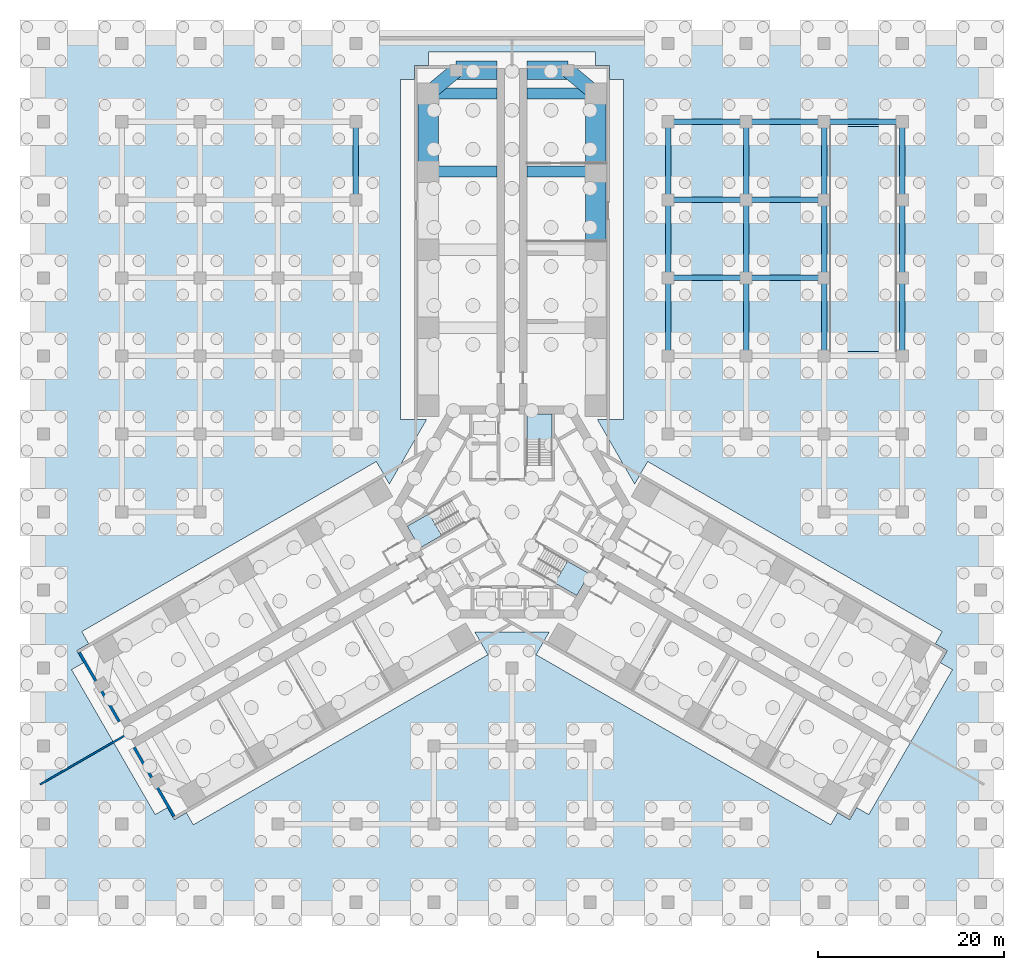
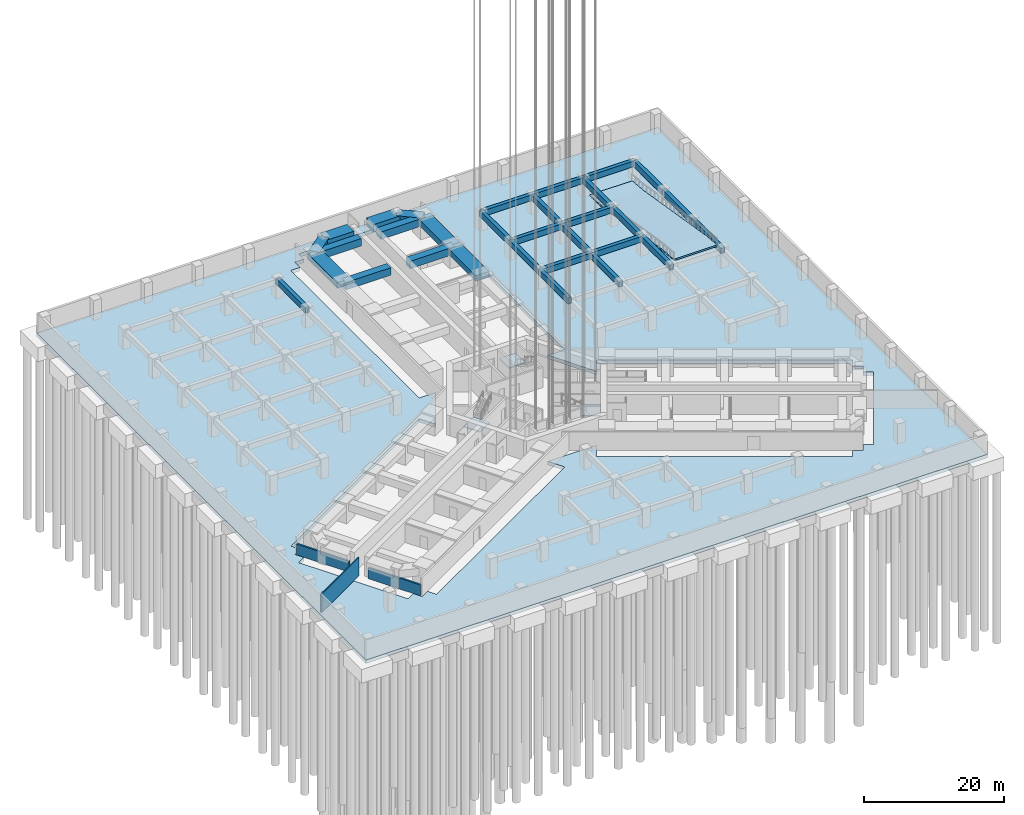
# One storey, part 50 of 73: 31 beams, 5 slabs, 3 walls, 3 elements without a shape of their own.
"""IFC4 building model written with IfcOpenShell, lengths in metres."""

from ifc_helpers import new_model, si_unit, direction, frame, frame_2d, origin, origin_2d, place, context, subcontext, project, spatial, polyline, rectangle, outline, extrude, material, layer, layer_set, material_profile, profile_set, type_object, element, aggregate, save


model = new_model("IFC4")

# Units and contexts
model_context = context("Model", 3, precision=1e-05, world=origin(), true_north=direction((0.0, 1.0)))
body_context = subcontext(model_context, "Body", "Model", "MODEL_VIEW")
ifc_project = project(units=[si_unit("LENGTHUNIT", "METRE"), si_unit("AREAUNIT", "SQUARE_METRE"), si_unit("VOLUMEUNIT", "CUBIC_METRE"), si_unit("PLANEANGLEUNIT", "RADIAN"), si_unit("MASSUNIT", "GRAM", prefix="KILO")], contexts=[model_context])

# Site, building, storey
site_placement = place(None, origin())
site = spatial("IfcSite", under=ifc_project, at=site_placement, CompositionType="ELEMENT")
building_placement = place(site_placement, origin())
building = spatial("IfcBuilding", under=site, at=building_placement, Name="Impinga Residences", CompositionType="ELEMENT")
storey_placement = place(building_placement, frame((0.0, 0.0, -10.5)))
storey = spatial("IfcBuildingStorey", under=building, at=storey_placement, Name="B3", CompositionType="ELEMENT", Elevation=-10.5)

# Beams
ifc_material_1 = material(Name="Concrete C60/75", Category="concrete")
ifc_material_profile_1 = material_profile(ifc_material_1, rectangle(XDim=1.60009765625, YDim=1.300048828125, at=origin_2d()), Name="RC 1600x1300")
ifc_profile_set_1 = profile_set([ifc_material_profile_1], Name="Concrete C60/75")
beam_type_1 = type_object("IfcBeamType", Name="CB4 1600x1300 wing end beam to the wing-tip prop", PredefinedType="BEAM", material=ifc_profile_set_1)
for number, where, z_axis, x_axis, name in (
    (1, (-9.0, 45.031494140625, 2.550048828125), (0.768221279597, 0.640184399664, 0.0), (-0.640184399664, 0.768221279597, 0.0), "Beam CB4 NB N5-NX level B2"),
    (2, (9.0, 45.031494140625, 2.550048828125), (-0.768221279597, 0.640184399664, 0.0), (-0.640184399664, -0.768221279597, 0.0), "Beam CB4 NE N5-NX level B2"),
):
    element("IfcBeam", number, at=place(storey_placement, frame(where, z_axis=z_axis, x_axis=x_axis)), inside=storey, type_object=beam_type_1, Name=name, PredefinedType="BEAM", context=body_context, shape_type="SweptSolid", body=[
        extrude(rectangle(XDim=1.60009765625, YDim=1.300048828125, at=origin_2d()), origin(), (0.0, 0.0, 1.0), 3.905029296875),
    ])
ifc_material_profile_2 = material_profile(ifc_material_1, rectangle(XDim=1.199951171875, YDim=1.300048828125, at=origin_2d()), Name="RC 1200x1300")
ifc_profile_set_2 = profile_set([ifc_material_profile_2], Name="Concrete C60/75")
beam_type_2 = type_object("IfcBeamType", Name="CG2 1200x1300 cross girder on a wing bay line", PredefinedType="BEAM", material=ifc_profile_set_2)
for number, where, z_axis, x_axis, name in (
    (3, (-1.60009765625, 36.631591796875, 2.550048828125), (-1.0, 0.0, 0.0), (0.0, -1.0, 0.0), "Beam CG2 N4 NC/NA level B2"),
    (4, (-1.60009765625, 45.031494140625, 2.550048828125), (-1.0, 0.0, 0.0), (0.0, -1.0, 0.0), "Beam CG2 N5 NC/NA level B2"),
    (5, (1.60009765625, 36.631591796875, 2.550048828125), (1.0, 0.0, 0.0), (0.0, 1.0, 0.0), "Beam CG2 N4 NC/NF level B2"),
    (6, (1.60009765625, 45.031494140625, 2.550048828125), (1.0, 0.0, 0.0), (0.0, 1.0, 0.0), "Beam CG2 N5 NC/NF level B2"),
):
    element("IfcBeam", number, at=place(storey_placement, frame(where, z_axis=z_axis, x_axis=x_axis)), inside=storey, type_object=beam_type_2, Name=name, PredefinedType="BEAM", context=body_context, shape_type="SweptSolid", body=[
        extrude(rectangle(XDim=1.199951171875, YDim=1.300048828125, at=origin_2d()), origin(), (0.0, 0.0, 1.0), 7.39990234375),
    ])
ifc_material_profile_3 = material_profile(ifc_material_1, rectangle(XDim=2.0, YDim=1.300048828125, at=origin_2d()), Name="RC 2000x1300")
ifc_profile_set_3 = profile_set([ifc_material_profile_3], Name="Concrete C60/75")
beam_type_3 = type_object("IfcBeamType", Name="EB4 2000x1300 wing end beam", PredefinedType="BEAM", material=ifc_profile_set_3)
for number, where, z_axis, x_axis, name in (
    (7, (-6.0, 47.531494140625, 2.550048828125), (1.0, 0.0, 0.0), (0.0, 1.0, 0.0), "Beam EB4 NX4 level B2"),
    (8, (1.60009765625, 47.531494140625, 2.550048828125), (1.0, 0.0, 0.0), (0.0, 1.0, 0.0), "Beam EB4 NX4 level B2"),
):
    element("IfcBeam", number, at=place(storey_placement, frame(where, z_axis=z_axis, x_axis=x_axis)), inside=storey, type_object=beam_type_3, Name=name, PredefinedType="BEAM", context=body_context, shape_type="SweptSolid", body=[
        extrude(rectangle(XDim=2.0, YDim=1.300048828125, at=origin_2d()), origin(), (0.0, 0.0, 1.0), 4.39990234375),
    ])
ifc_material_profile_4 = material_profile(ifc_material_1, rectangle(XDim=0.60009765625, YDim=1.0, at=origin_2d()), Name="RC 600x1000")
ifc_profile_set_4 = profile_set([ifc_material_profile_4], Name="Concrete C60/75")
beam_type_4 = type_object("IfcBeamType", Name="PB1 600x1000 basement and ground floor beam", PredefinedType="BEAM", material=ifc_profile_set_4)
beam_1_placement = place(storey_placement, frame((16.800048828125, 25.199951171875, 2.699951171875), z_axis=(1.0, 0.0, 0.0), x_axis=(0.0, 1.0, 0.0)))
element("IfcBeam", 9, at=beam_1_placement, inside=storey, type_object=beam_type_4, Name="Beam PB1 J/9-10 level B2", PredefinedType="BEAM", context=body_context, shape_type="SweptSolid", body=[
    extrude(rectangle(XDim=0.60009765625, YDim=1.0, at=origin_2d()), origin(), (0.0, 0.0, 1.0), 8.39990234375),
])
beam_2_placement = place(storey_placement, frame((25.199951171875, 25.199951171875, 2.699951171875), z_axis=(1.0, 0.0, 0.0), x_axis=(0.0, 1.0, 0.0)))
element("IfcBeam", 10, at=beam_2_placement, inside=storey, type_object=beam_type_4, Name="Beam PB1 J/10-11 level B2", PredefinedType="BEAM", context=body_context, shape_type="SweptSolid", body=[
    extrude(rectangle(XDim=0.60009765625, YDim=1.0, at=origin_2d()), origin(), (0.0, 0.0, 1.0), 8.400146484375),
])
beam_3_placement = place(storey_placement, frame((16.800048828125, 33.60009765625, 2.699951171875), z_axis=(1.0, 0.0, 0.0), x_axis=(0.0, 1.0, 0.0)))
element("IfcBeam", 11, at=beam_3_placement, inside=storey, type_object=beam_type_4, Name="Beam PB1 K/9-10 level B2", PredefinedType="BEAM", context=body_context, shape_type="SweptSolid", body=[
    extrude(rectangle(XDim=0.60009765625, YDim=1.0, at=origin_2d()), origin(), (0.0, 0.0, 1.0), 8.39990234375),
])
beam_4_placement = place(storey_placement, frame((25.199951171875, 33.60009765625, 2.699951171875), z_axis=(1.0, 0.0, 0.0), x_axis=(0.0, 1.0, 0.0)))
element("IfcBeam", 12, at=beam_4_placement, inside=storey, type_object=beam_type_4, Name="Beam PB1 K/10-11 level B2", PredefinedType="BEAM", context=body_context, shape_type="SweptSolid", body=[
    extrude(rectangle(XDim=0.60009765625, YDim=1.0, at=origin_2d()), origin(), (0.0, 0.0, 1.0), 8.400146484375),
])
beam_5_placement = place(storey_placement, frame((16.800048828125, 42.0, 2.699951171875), z_axis=(1.0, 0.0, 0.0), x_axis=(0.0, 1.0, 0.0)))
element("IfcBeam", 13, at=beam_5_placement, inside=storey, type_object=beam_type_4, Name="Beam PB1 L/9-10 level B2", PredefinedType="BEAM", context=body_context, shape_type="SweptSolid", body=[
    extrude(rectangle(XDim=0.60009765625, YDim=1.0, at=origin_2d()), origin(), (0.0, 0.0, 1.0), 8.39990234375),
])
beam_6_placement = place(storey_placement, frame((25.199951171875, 42.0, 2.699951171875), z_axis=(1.0, 0.0, 0.0), x_axis=(0.0, 1.0, 0.0)))
element("IfcBeam", 14, at=beam_6_placement, inside=storey, type_object=beam_type_4, Name="Beam PB1 L/10-11 level B2", PredefinedType="BEAM", context=body_context, shape_type="SweptSolid", body=[
    extrude(rectangle(XDim=0.60009765625, YDim=1.0, at=origin_2d()), origin(), (0.0, 0.0, 1.0), 8.400146484375),
])
for number, where, z_axis, x_axis, name in (
    (15, (33.60009765625, 42.0, 2.699951171875), (1.0, 0.0, 0.0), (0.0, 1.0, 0.0), "Beam PB1 L/11-12 level B2"),
    (16, (-16.800048828125, 33.60009765625, 2.699951171875), (0.0, 1.0, 0.0), (-1.0, 0.0, 0.0), "Beam PB1 5/K-L level B2"),
    (17, (16.800048828125, 16.800048828125, 2.699951171875), (0.0, 1.0, 0.0), (-1.0, 0.0, 0.0), "Beam PB1 9/H-J level B2"),
):
    element("IfcBeam", number, at=place(storey_placement, frame(where, z_axis=z_axis, x_axis=x_axis)), inside=storey, type_object=beam_type_4, Name=name, PredefinedType="BEAM", context=body_context, shape_type="SweptSolid", body=[
        extrude(rectangle(XDim=0.60009765625, YDim=1.0, at=origin_2d()), origin(), (0.0, 0.0, 1.0), 8.39990234375),
    ])
beam_7_placement = place(storey_placement, frame((16.800048828125, 25.199951171875, 2.699951171875), z_axis=(0.0, 1.0, 0.0), x_axis=(-1.0, 0.0, 0.0)))
element("IfcBeam", 18, at=beam_7_placement, inside=storey, type_object=beam_type_4, Name="Beam PB1 9/J-K level B2", PredefinedType="BEAM", context=body_context, shape_type="SweptSolid", body=[
    extrude(rectangle(XDim=0.60009765625, YDim=1.0, at=origin_2d()), origin(), (0.0, 0.0, 1.0), 8.400146484375),
])
for number, where, z_axis, x_axis, name in (
    (19, (16.800048828125, 33.60009765625, 2.699951171875), (0.0, 1.0, 0.0), (-1.0, 0.0, 0.0), "Beam PB1 9/K-L level B2"),
    (20, (25.199951171875, 16.800048828125, 2.699951171875), (0.0, 1.0, 0.0), (-1.0, 0.0, 0.0), "Beam PB1 10/H-J level B2"),
):
    element("IfcBeam", number, at=place(storey_placement, frame(where, z_axis=z_axis, x_axis=x_axis)), inside=storey, type_object=beam_type_4, Name=name, PredefinedType="BEAM", context=body_context, shape_type="SweptSolid", body=[
        extrude(rectangle(XDim=0.60009765625, YDim=1.0, at=origin_2d()), origin(), (0.0, 0.0, 1.0), 8.39990234375),
    ])
beam_8_placement = place(storey_placement, frame((25.199951171875, 25.199951171875, 2.699951171875), z_axis=(0.0, 1.0, 0.0), x_axis=(-1.0, 0.0, 0.0)))
element("IfcBeam", 21, at=beam_8_placement, inside=storey, type_object=beam_type_4, Name="Beam PB1 10/J-K level B2", PredefinedType="BEAM", context=body_context, shape_type="SweptSolid", body=[
    extrude(rectangle(XDim=0.60009765625, YDim=1.0, at=origin_2d()), origin(), (0.0, 0.0, 1.0), 8.400146484375),
])
for number, where, z_axis, x_axis, name in (
    (22, (25.199951171875, 33.60009765625, 2.699951171875), (0.0, 1.0, 0.0), (-1.0, 0.0, 0.0), "Beam PB1 10/K-L level B2"),
    (23, (33.60009765625, 16.800048828125, 2.699951171875), (0.0, 1.0, 0.0), (-1.0, 0.0, 0.0), "Beam PB1 11/H-J level B2"),
):
    element("IfcBeam", number, at=place(storey_placement, frame(where, z_axis=z_axis, x_axis=x_axis)), inside=storey, type_object=beam_type_4, Name=name, PredefinedType="BEAM", context=body_context, shape_type="SweptSolid", body=[
        extrude(rectangle(XDim=0.60009765625, YDim=1.0, at=origin_2d()), origin(), (0.0, 0.0, 1.0), 8.39990234375),
    ])
beam_9_placement = place(storey_placement, frame((33.60009765625, 25.199951171875, 2.699951171875), z_axis=(0.0, 1.0, 0.0), x_axis=(-1.0, 0.0, 0.0)))
element("IfcBeam", 24, at=beam_9_placement, inside=storey, type_object=beam_type_4, Name="Beam PB1 11/J-K level B2", PredefinedType="BEAM", context=body_context, shape_type="SweptSolid", body=[
    extrude(rectangle(XDim=0.60009765625, YDim=1.0, at=origin_2d()), origin(), (0.0, 0.0, 1.0), 8.400146484375),
])
for number, where, z_axis, x_axis, name in (
    (25, (33.60009765625, 33.60009765625, 2.699951171875), (0.0, 1.0, 0.0), (-1.0, 0.0, 0.0), "Beam PB1 11/K-L level B2"),
    (26, (42.0, 16.800048828125, 2.699951171875), (0.0, 1.0, 0.0), (-1.0, 0.0, 0.0), "Beam PB1 12/H-J level B2"),
):
    element("IfcBeam", number, at=place(storey_placement, frame(where, z_axis=z_axis, x_axis=x_axis)), inside=storey, type_object=beam_type_4, Name=name, PredefinedType="BEAM", context=body_context, shape_type="SweptSolid", body=[
        extrude(rectangle(XDim=0.60009765625, YDim=1.0, at=origin_2d()), origin(), (0.0, 0.0, 1.0), 8.39990234375),
    ])
beam_10_placement = place(storey_placement, frame((42.0, 25.199951171875, 2.699951171875), z_axis=(0.0, 1.0, 0.0), x_axis=(-1.0, 0.0, 0.0)))
element("IfcBeam", 27, at=beam_10_placement, inside=storey, type_object=beam_type_4, Name="Beam PB1 12/J-K level B2", PredefinedType="BEAM", context=body_context, shape_type="SweptSolid", body=[
    extrude(rectangle(XDim=0.60009765625, YDim=1.0, at=origin_2d()), origin(), (0.0, 0.0, 1.0), 8.400146484375),
])
beam_11_placement = place(storey_placement, frame((42.0, 33.60009765625, 2.699951171875), z_axis=(0.0, 1.0, 0.0), x_axis=(-1.0, 0.0, 0.0)))
element("IfcBeam", 28, at=beam_11_placement, inside=storey, type_object=beam_type_4, Name="Beam PB1 12/K-L level B2", PredefinedType="BEAM", context=body_context, shape_type="SweptSolid", body=[
    extrude(rectangle(XDim=0.60009765625, YDim=1.0, at=origin_2d()), origin(), (0.0, 0.0, 1.0), 8.39990234375),
])
ifc_material_profile_5 = material_profile(ifc_material_1, rectangle(XDim=2.199951171875, YDim=1.0, at=origin_2d()), Name="RC 2200x1000")
ifc_profile_set_5 = profile_set([ifc_material_profile_5], Name="Concrete C60/75")
beam_type_5 = type_object("IfcBeamType", Name="PB3 2200x1000 podium band beam", PredefinedType="BEAM", material=ifc_profile_set_5)
beam_12_placement = place(storey_placement, frame((-9.0, 36.631591796875, 2.699951171875), z_axis=(0.0, 1.0, 0.0), x_axis=(-1.0, 0.0, 0.0)))
element("IfcBeam", 29, at=beam_12_placement, inside=storey, type_object=beam_type_5, Name="Beam PB3 NA N4-N5 level B2", PredefinedType="BEAM", context=body_context, shape_type="SweptSolid", body=[
    extrude(rectangle(XDim=2.199951171875, YDim=1.0, at=origin_2d()), origin(), (0.0, 0.0, 1.0), 8.39990234375),
])
beam_13_placement = place(storey_placement, frame((9.0, 28.2314453125, 2.699951171875), z_axis=(0.0, 1.0, 0.0), x_axis=(-1.0, 0.0, 0.0)))
element("IfcBeam", 30, at=beam_13_placement, inside=storey, type_object=beam_type_5, Name="Beam PB3 NF N3-N4 level B2", PredefinedType="BEAM", context=body_context, shape_type="SweptSolid", body=[
    extrude(rectangle(XDim=2.199951171875, YDim=1.0, at=origin_2d()), origin(), (0.0, 0.0, 1.0), 8.400146484375),
])
beam_14_placement = place(storey_placement, frame((9.0, 36.631591796875, 2.699951171875), z_axis=(0.0, 1.0, 0.0), x_axis=(-1.0, 0.0, 0.0)))
element("IfcBeam", 31, at=beam_14_placement, inside=storey, type_object=beam_type_5, Name="Beam PB3 NF N4-N5 level B2", PredefinedType="BEAM", context=body_context, shape_type="SweptSolid", body=[
    extrude(rectangle(XDim=2.199951171875, YDim=1.0, at=origin_2d()), origin(), (0.0, 0.0, 1.0), 8.39990234375),
])

# Slab
ifc_layer_1 = layer(ifc_material_1, 0.60009765625)
ifc_layer_set_1 = layer_set([ifc_layer_1], Name="Concrete C60/75")
slab_type_1 = type_object("IfcSlabType", Name="BS1 basement base slab 600", PredefinedType="BASESLAB", material=ifc_layer_set_1)
slab_1_placement = place(storey_placement, frame((0.0, 0.0, -0.60009765625)))
element("IfcSlab", 32, at=slab_1_placement, inside=storey, type_object=slab_type_1, Name="Base slab BS1 B3", PredefinedType="BASESLAB", context=body_context, shape_type="SweptSolid", body=[
    extrude(outline(polyline([(-51.199951171875, -42.800048828125), (-51.199951171875, 51.199951171875), (51.199951171875, 51.199951171875), (51.199951171875, -42.800048828125), (-51.199951171875, -42.800048828125)]), holes=[polyline([(-47.3955078125, -16.971435546875), (-38.3955078125, -32.56005859375), (-37.096435546875, -31.81005859375), (-36.346435546875, -33.109130859375), (-35.047607421875, -32.359130859375), (-34.297607421875, -33.657958984375), (-2.60107421875, -15.358154296875), (-4.001953125, -12.931640625), (4.001953125, -12.931640625), (2.60107421875, -15.358154296875), (34.297607421875, -33.657958984375), (35.047607421875, -32.359130859375), (36.346435546875, -33.109130859375), (37.096435546875, -31.81005859375), (38.3955078125, -32.56005859375), (47.3955078125, -16.971435546875), (46.096435546875, -16.221435546875), (46.846435546875, -14.922607421875), (45.547607421875, -14.172607421875), (46.297607421875, -12.87353515625), (14.60107421875, 5.426513671875), (13.199951171875, 3.0), (9.197998046875, 9.931640625), (12.0, 9.931640625), (12.0, 46.531494140625), (10.5, 46.531494140625), (10.5, 48.031494140625), (9.0, 48.031494140625), (9.0, 49.531494140625), (-9.0, 49.531494140625), (-9.0, 48.031494140625), (-10.5, 48.031494140625), (-10.5, 46.531494140625), (-12.0, 46.531494140625), (-12.0, 9.931640625), (-9.197998046875, 9.931640625), (-13.199951171875, 3.0), (-14.60107421875, 5.426513671875), (-46.297607421875, -12.87353515625), (-45.547607421875, -14.172607421875), (-46.846435546875, -14.922607421875), (-46.096435546875, -16.221435546875), (-47.3955078125, -16.971435546875)])]), origin(), (0.0, 0.0, 1.0), 0.60009765625),
])

# Stair, slab
ifc_material_2 = material(Name="Concrete C40/50", Category="concrete")
stair_type = type_object("IfcStairType", Name="STR core stair 3500 storey, 22 risers", PredefinedType="HALF_TURN_STAIR", material=ifc_material_2)
stair_1_placement = place(storey_placement, origin())
stair_1 = element("IfcStair", 33, at=stair_1_placement, inside=storey, type_object=stair_type, Name="Stair ST1 B3", PredefinedType="HALF_TURN_STAIR")
ifc_layer_2 = layer(ifc_material_2, 0.199951171875)
ifc_layer_set_2 = layer_set([ifc_layer_2], Name="Concrete C40/50")
slab_type_2 = type_object("IfcSlabType", Name="LS1 stair landing 200", PredefinedType="LANDING", material=ifc_layer_set_2)
slab_2_placement = place(storey_placement, frame((0.0, 0.0, 1.550048828125)))
slab_2 = element("IfcSlab", 34, at=slab_2_placement, type_object=slab_type_2, Name="ST1 landing 1", PredefinedType="LANDING", context=body_context, shape_type="SweptSolid", body=[
    extrude(outline(polyline([(1.60009765625, 7.820068359375), (4.300048828125, 7.820068359375), (4.300048828125, 10.531494140625), (1.60009765625, 10.531494140625), (1.60009765625, 7.820068359375)])), origin(), (0.0, 0.0, 1.0), 0.199951171875),
])
aggregate(stair_1, [slab_2])

stair_2_placement = place(storey_placement, origin())
stair_2 = element("IfcStair", 35, at=stair_2_placement, inside=storey, type_object=stair_type, Name="Stair ST2 B3", PredefinedType="HALF_TURN_STAIR")
slab_3_placement = place(storey_placement, frame((0.0, 0.0, 1.550048828125)))
slab_3 = element("IfcSlab", 36, at=slab_3_placement, type_object=slab_type_2, Name="ST2 landing 1", PredefinedType="LANDING", context=body_context, shape_type="SweptSolid", body=[
    extrude(outline(polyline([(-7.572265625, -2.5244140625), (-8.92236328125, -0.18603515625), (-11.2705078125, -1.541748046875), (-9.920654296875, -3.880126953125), (-7.572265625, -2.5244140625)])), origin(), (0.0, 0.0, 1.0), 0.199951171875),
])
aggregate(stair_2, [slab_3])

stair_3_placement = place(storey_placement, origin())
stair_3 = element("IfcStair", 37, at=stair_3_placement, inside=storey, type_object=stair_type, Name="Stair ST3 B3", PredefinedType="HALF_TURN_STAIR")
slab_4_placement = place(storey_placement, frame((0.0, 0.0, 1.550048828125)))
slab_4 = element("IfcSlab", 38, at=slab_4_placement, type_object=slab_type_2, Name="ST3 landing 1", PredefinedType="LANDING", context=body_context, shape_type="SweptSolid", body=[
    extrude(outline(polyline([(5.972412109375, -5.295654296875), (4.622314453125, -7.6337890625), (6.970458984375, -8.98974609375), (8.320556640625, -6.6513671875), (5.972412109375, -5.295654296875)])), origin(), (0.0, 0.0, 1.0), 0.199951171875),
])
aggregate(stair_3, [slab_4])

# Slab
ifc_layer_3 = layer(ifc_material_1, 0.25)
ifc_layer_set_3 = layer_set([ifc_layer_3], Name="Concrete C60/75")
slab_type_3 = type_object("IfcSlabType", Name="RF1 car park ramp slab 250", PredefinedType="FLOOR", material=ifc_layer_set_3)
slab_5_placement = place(storey_placement, frame((41.35009765625, 41.5, 0.0), z_axis=(1.0, 0.0, 0.0), x_axis=(0.0, -0.99661255374, 0.082240000773)))
element("IfcSlab", 39, at=slab_5_placement, inside=storey, type_object=slab_type_3, Name="Car park ramp slab B3", PredefinedType="FLOOR", context=body_context, shape_type="SweptSolid", body=[
    extrude(outline(polyline([(0.0, 0.0), (3.0101968801624057, 2.7755575615628914e-17), (21.395618260336434, -1.4979399350213556), (24.40581514049884, -1.4979399350213554), (24.415790998580714, -1.4971167318886225), (24.394949904634945, -1.2445572028889835), (24.384974046553072, -1.2453804060217164), (21.374777166390665, -1.2453804060217162), (2.9893557862166347, 0.2525595289996391), (-0.020841093945771, 0.25255952899963907), (0.0, 0.0)])), origin(), (0.0, 0.0, -1.0), 7.10009765625),
])

# Walls
ifc_material_3 = material(Name="Concrete blockwork", Category="masonry")
ifc_layer_4 = layer(ifc_material_3, 0.199951171875)
ifc_layer_set_4 = layer_set([ifc_layer_4], Name="PW2 podium compartment wall 200")
wall_type_1 = type_object("IfcWallType", Name="PW2 podium compartment wall 200", PredefinedType="SOLIDWALL", material=ifc_layer_set_4)
wall_placement = place(storey_placement, frame((-41.596435546875, -24.015869140625, 0.0), z_axis=(0.0, 0.0, 1.0), x_axis=(-0.866034858292, -0.499983623955, 0.0)))
element("IfcWall", 40, at=wall_placement, inside=storey, type_object=wall_type_1, Name="Podium compartment wall B3:REG:W", PredefinedType="SOLIDWALL", context=body_context, shape_type="SweptSolid", body=[
    extrude(rectangle(XDim=10.627197265625, YDim=0.199951171875, at=frame_2d((5.3134765625, 0.0))), origin(), (0.0, 0.0, 1.0), 3.199951171875),
])
ifc_layer_5 = layer(ifc_material_3, 0.300048828125)
ifc_layer_set_5 = layer_set([ifc_layer_5], Name="PW3 podium wall on the wing face 300")
wall_type_2 = type_object("IfcWallType", Name="PW3 podium wall on the wing face 300", PredefinedType="SOLIDWALL", material=ifc_layer_set_5)
for number, where, z_axis, x_axis, name in (
    (41, (-40.666748046875, -25.326416015625, 0.0), (0.0, 0.0, 1.0), (0.500007509209, -0.866021068297, 0.0), "Podium wall on the wing face B3:END:WA"),
    (42, (-42.2666015625, -22.55517578125, 0.0), (0.0, 0.0, 1.0), (-0.500007509209, 0.866021068297, 0.0), "Podium wall on the wing face B3:END:WF"),
):
    element("IfcWall", number, at=place(storey_placement, frame(where, z_axis=z_axis, x_axis=x_axis)), inside=storey, type_object=wall_type_2, Name=name, PredefinedType="SOLIDWALL", context=body_context, shape_type="SweptSolid", body=[
        extrude(rectangle(XDim=8.599853515625, YDim=0.300048828125, at=frame_2d((4.2998046875, 0.0))), origin(), (0.0, 0.0, 1.0), 1.89990234375),
    ])

save(model, "model.ifc")
